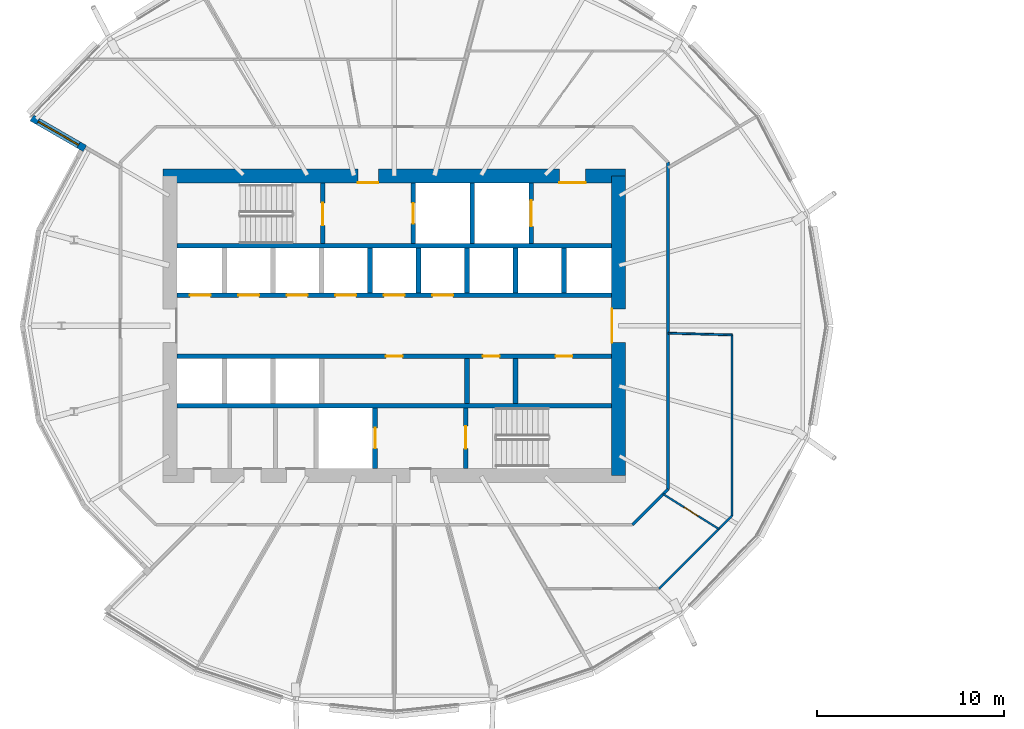
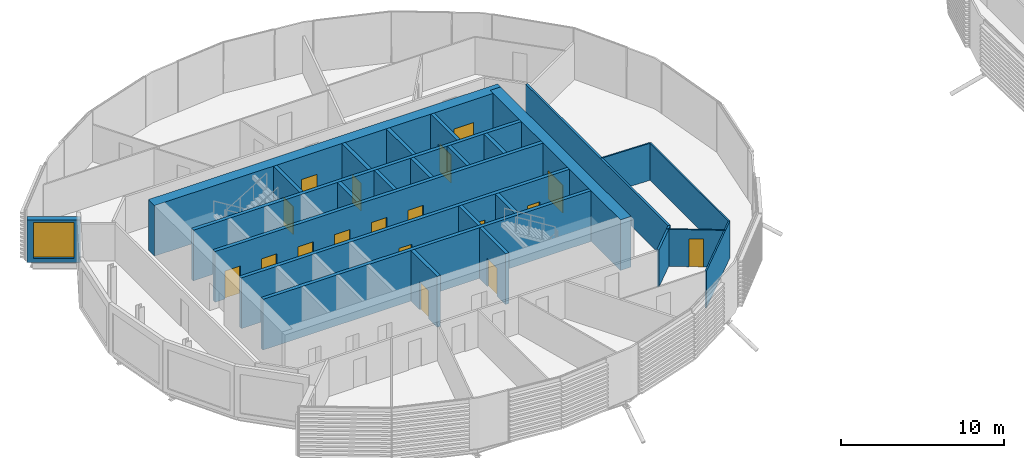
# One storey, part 21 of 38: 26 walls, 18 doors, 1 window, 19 openings.
"""IFC4 building model written with IfcOpenShell, lengths in metres."""

from ifc_helpers import new_model, si_unit, direction, frame, frame_2d, origin, place, context, subcontext, project, spatial, rectangle, extrude, material, layer, layer_set, type_object, element, fill, save


model = new_model("IFC4")

# Units and contexts
model_context = context("Model", 3, precision=1e-05, world=origin(), true_north=direction((0.0, 1.0)))
body_context = subcontext(model_context, "Body", "Model", "MODEL_VIEW")
ifc_project = project(units=[si_unit("LENGTHUNIT", "METRE"), si_unit("AREAUNIT", "SQUARE_METRE"), si_unit("VOLUMEUNIT", "CUBIC_METRE"), si_unit("PLANEANGLEUNIT", "RADIAN"), si_unit("MASSUNIT", "GRAM", prefix="KILO")], contexts=[model_context])

# Site, building, storey
site_placement = place(None, origin())
site = spatial("IfcSite", under=ifc_project, at=site_placement, CompositionType="ELEMENT")
building_placement = place(site_placement, origin())
building = spatial("IfcBuilding", under=site, at=building_placement, Name="Rimbun Link Towers", CompositionType="ELEMENT")
storey_placement = place(building_placement, frame((0.0, 0.0, 119.60009765625)))
storey = spatial("IfcBuildingStorey", under=building, at=storey_placement, Name="L29", CompositionType="ELEMENT", Elevation=119.60009765625)

# Wall, opening, window
ifc_material_1 = material(Name="Dark enamelled glass spandrel on insulated aluminium backpan", Category="aluminium")
ifc_layer_1 = layer(ifc_material_1, 0.3701171875)
ifc_layer_set_1 = layer_set([ifc_layer_1], Name="CS dark enamelled spandrel wall 370")
wall_type_1 = type_object("IfcWallType", Name="CS dark enamelled spandrel wall 370", PredefinedType="STANDARD", material=ifc_layer_set_1)
wall_1_placement = place(storey_placement, frame((-48.298095703125, 9.47900390625, 0.0), z_axis=(0.0, 0.0, 1.0), x_axis=(-0.866040564224, 0.499973740429, 0.0)))
wall_1 = element("IfcWall", 1, at=wall_1_placement, inside=storey, type_object=wall_type_1, Name="Crease spandrel wall", PredefinedType="STANDARD", context=body_context, shape_type="SweptSolid", body=[
    extrude(rectangle(XDim=3.280029296875, YDim=0.3701171875, at=frame_2d((1.64013671875, 0.0))), origin(), (0.0, 0.0, 1.0), 3.176513671875),
])
opening_1_placement = place(wall_1_placement, frame((0.389892578125, 0.0, 0.300048828125)))
opening_1 = element("IfcOpeningElement", 2, at=opening_1_placement, cuts=wall_1, Name="Opening WR25H270", PredefinedType="OPENING", context=body_context, shape_type="SweptSolid", body=[
    extrude(rectangle(XDim=2.5, YDim=2.699951171875, at=frame_2d((1.25, 1.35009765625))), frame((0.0, 0.195068359375, 0.0), z_axis=(0.0, -1.0, 0.0), x_axis=(1.0, 0.0, 0.0)), (0.0, 0.0, 1.0), 0.39013671875),
])
ifc_material_2 = material(Name="Aluminium framed fixed window, dark tinted low-e glass", Category="aluminium")
window_type = type_object("IfcWindowType", Name="WR ribbon window 2500X2700", PartitioningType="SINGLE_PANEL", PredefinedType="WINDOW", material=ifc_material_2)
window_placement = place(opening_1_placement, origin())
window = element("IfcWindow", 3, at=window_placement, inside=storey, type_object=window_type, Name="Crease ribbon window", OverallHeight=2.699951171875, OverallWidth=2.5, PartitioningType="SINGLE_PANEL", PredefinedType="WINDOW", context=body_context, shape_type="SweptSolid", body=[
    extrude(rectangle(XDim=2.5, YDim=2.699951171875, at=frame_2d((1.25, 1.35009765625))), frame((0.0, 0.030029296875, 0.0), z_axis=(0.0, -1.0, 0.0), x_axis=(1.0, 0.0, 0.0)), (0.0, 0.0, 1.0), 0.06005859375),
])
fill(opening_1, window)

# Wall, openings, doors
ifc_material_3 = material(Name="Concrete C60/75", Category="concrete")
ifc_layer_2 = layer(ifc_material_3, 0.75)
ifc_layer_set_2 = layer_set([ifc_layer_2], Name="Core shear wall 750")
wall_type_2 = type_object("IfcWallType", Name="Core shear wall 750", PredefinedType="SHEAR", material=ifc_layer_set_2)
wall_2_placement = place(storey_placement, frame((-44.125, 8.0, 0.0), z_axis=(0.0, 0.0, 1.0), x_axis=(1.0, 0.0, 0.0)))
wall_2 = element("IfcWall", 4, at=wall_2_placement, inside=storey, type_object=wall_type_2, Name="L29 T1 core wall N", PredefinedType="SHEAR", context=body_context, shape_type="SweptSolid", body=[
    extrude(rectangle(XDim=24.75, YDim=0.75, at=frame_2d((12.375, 0.0))), origin(), (0.0, 0.0, 1.0), 3.7998046875),
])
opening_2_placement = place(wall_2_placement, frame((10.425048828125, 0.0, 0.0)))
opening_2 = element("IfcOpeningElement", 5, at=opening_2_placement, cuts=wall_2, Name="Opening C1DCF01N", PredefinedType="OPENING", context=body_context, shape_type="SweptSolid", body=[
    extrude(rectangle(XDim=1.10009765625, YDim=2.10009765625, at=frame_2d((0.550048828125, 1.050048828125))), frame((0.0, 0.385009765625, 0.0), z_axis=(0.0, -1.0, 0.0), x_axis=(1.0, 0.0, 0.0)), (0.0, 0.0, 1.0), 0.77001953125),
])
opening_3_placement = place(wall_2_placement, frame((21.21240234375, 0.0, 0.0)))
opening_3 = element("IfcOpeningElement", 6, at=opening_3_placement, cuts=wall_2, Name="Opening C1DSL02N", PredefinedType="OPENING", context=body_context, shape_type="SweptSolid", body=[
    extrude(rectangle(XDim=1.39990234375, YDim=2.10009765625, at=frame_2d((0.699951171875, 1.050048828125))), frame((0.0, 0.385009765625, 0.0), z_axis=(0.0, -1.0, 0.0), x_axis=(1.0, 0.0, 0.0)), (0.0, 0.0, 1.0), 0.77001953125),
])
ifc_material_4 = material(Name="Steel fire door set", Category="steel")
door_type_1 = type_object("IfcDoorType", Name="Core fire door single", OperationType="SINGLE_SWING_LEFT", PredefinedType="DOOR", material=ifc_material_4)
door_1_placement = place(opening_2_placement, origin())
door_1 = element("IfcDoor", 7, at=door_1_placement, inside=storey, type_object=door_type_1, Name="L29 T1 firefighting lobby n door", OperationType="SINGLE_SWING_LEFT", OverallHeight=2.10009765625, OverallWidth=1.10009765625, PredefinedType="DOOR", context=body_context, shape_type="SweptSolid", body=[
    extrude(rectangle(XDim=1.10009765625, YDim=2.10009765625, at=frame_2d((0.550048828125, 1.050048828125))), frame((0.0, -0.3251953125, 0.0), z_axis=(0.0, -1.0, 0.0), x_axis=(1.0, 0.0, 0.0)), (0.0, 0.0, 1.0), 0.050048828125),
])
fill(opening_2, door_1)
ifc_material_5 = material(Name="Steel fire door set", Category="steel")
door_type_2 = type_object("IfcDoorType", Name="Service lobby door double", OperationType="DOUBLE_DOOR_SINGLE_SWING", PredefinedType="DOOR", material=ifc_material_5)
door_2_placement = place(opening_3_placement, origin())
door_2 = element("IfcDoor", 8, at=door_2_placement, inside=storey, type_object=door_type_2, Name="L29 T1 service lobby door", OperationType="DOUBLE_DOOR_SINGLE_SWING", OverallHeight=2.10009765625, OverallWidth=1.39990234375, PredefinedType="DOOR", context=body_context, shape_type="SweptSolid", body=[
    extrude(rectangle(XDim=1.39990234375, YDim=2.10009765625, at=frame_2d((0.699951171875, 1.050048828125))), frame((0.0, -0.3251953125, 0.0), z_axis=(0.0, -1.0, 0.0), x_axis=(1.0, 0.0, 0.0)), (0.0, 0.0, 1.0), 0.050048828125),
])
fill(opening_3, door_2)

# Wall, opening, door
wall_3_placement = place(storey_placement, frame((-19.75, -8.0, 0.0), z_axis=(0.0, 0.0, 1.0), x_axis=(0.0, 1.0, 0.0)))
wall_3 = element("IfcWall", 9, at=wall_3_placement, inside=storey, type_object=wall_type_2, Name="L29 T1 core wall E", PredefinedType="SHEAR", context=body_context, shape_type="SweptSolid", body=[
    extrude(rectangle(XDim=16.0, YDim=0.75, at=frame_2d((8.0, 0.0))), origin(), (0.0, 0.0, 1.0), 3.7998046875),
])
opening_4_placement = place(wall_3_placement, frame((7.10009765625, 0.0, 0.0)))
opening_4 = element("IfcOpeningElement", 10, at=opening_4_placement, cuts=wall_3, Name="Opening C1DCL01E", PredefinedType="OPENING", context=body_context, shape_type="SweptSolid", body=[
    extrude(rectangle(XDim=1.800048828125, YDim=2.10009765625, at=frame_2d((0.89990234375, 1.050048828125))), frame((0.0, 0.385009765625, 0.0), z_axis=(0.0, -1.0, 0.0), x_axis=(1.0, 0.0, 0.0)), (0.0, 0.0, 1.0), 0.77001953125),
])
ifc_material_6 = material(Name="Steel fire door set", Category="steel")
door_type_3 = type_object("IfcDoorType", Name="Core lobby door double", OperationType="DOUBLE_DOOR_SINGLE_SWING", PredefinedType="DOOR", material=ifc_material_6)
door_3_placement = place(opening_4_placement, origin())
door_3 = element("IfcDoor", 11, at=door_3_placement, inside=storey, type_object=door_type_3, Name="L29 T1 lift lobby door", OperationType="DOUBLE_DOOR_SINGLE_SWING", OverallHeight=2.10009765625, OverallWidth=1.800048828125, PredefinedType="DOOR", context=body_context, shape_type="SweptSolid", body=[
    extrude(rectangle(XDim=1.800048828125, YDim=2.10009765625, at=frame_2d((0.89990234375, 1.050048828125))), frame((0.0, 0.375, 0.0), z_axis=(0.0, -1.0, 0.0), x_axis=(1.0, 0.0, 0.0)), (0.0, 0.0, 1.0), 0.050048828125),
])
fill(opening_4, door_3)

# Walls
ifc_material_7 = material(Name="Plasterboard on steel stud, mineral wool", Category="steel")
ifc_layer_3 = layer(ifc_material_7, 0.14990234375)
ifc_layer_set_3 = layer_set([ifc_layer_3], Name="Corridor wall EI 30 150 mm")
wall_type_3 = type_object("IfcWallType", Name="Corridor wall EI 30 150 mm", PredefinedType="PARTITIONING", material=ifc_layer_set_3)
wall_4_placement = place(storey_placement, frame((-17.10009765625, -8.751708984375, 0.0), z_axis=(0.0, 0.0, 1.0), x_axis=(0.0, 1.0, 0.0)))
element("IfcWall", 12, at=wall_4_placement, inside=storey, type_object=wall_type_3, Name="Corridor wall EI 30 150 mm", PredefinedType="PARTITIONING", context=body_context, shape_type="SweptSolid", body=[
    extrude(rectangle(XDim=17.50341796875, YDim=0.14990234375, at=frame_2d((8.751708984375, 0.0))), origin(), (0.0, 0.0, 1.0), 2.77880859375),
])
wall_5_placement = place(storey_placement, frame((-18.998291015625, -10.64990234375, 0.0), z_axis=(0.0, 0.0, 1.0), x_axis=(0.707106781187, 0.707106781187, 0.0)))
element("IfcWall", 13, at=wall_5_placement, inside=storey, type_object=wall_type_3, Name="Corridor wall EI 30 150 mm", PredefinedType="PARTITIONING", context=body_context, shape_type="SweptSolid", body=[
    extrude(rectangle(XDim=2.6845703125, YDim=0.14990234375, at=frame_2d((1.34228515625, 0.0))), origin(), (0.0, 0.0, 1.0), 2.77880859375),
])

# Wall, opening, door
ifc_material_8 = material(Name="Plasterboard on steel stud", Category="steel")
ifc_layer_4 = layer(ifc_material_8, 0.10009765625)
ifc_layer_set_4 = layer_set([ifc_layer_4], Name="Plasterboard partition 100 mm")
wall_type_4 = type_object("IfcWallType", Name="Plasterboard partition 100 mm", PredefinedType="PARTITIONING", material=ifc_layer_set_4)
wall_6_placement = place(storey_placement, frame((-17.35986328125, -9.011474609375, 0.0), z_axis=(0.0, 0.0, 1.0), x_axis=(0.847521121802, -0.530761667889, 0.0)))
wall_6 = element("IfcWall", 14, at=wall_6_placement, inside=storey, type_object=wall_type_4, Name="Plasterboard partition 100 mm", PredefinedType="PARTITIONING", context=body_context, shape_type="SweptSolid", body=[
    extrude(rectangle(XDim=3.50927734375, YDim=0.10009765625, at=frame_2d((1.754638671875, 0.0))), origin(), (0.0, 0.0, 1.0), 2.77880859375),
])
opening_5_placement = place(wall_6_placement, frame((1.3046875, 0.0, 0.0)))
opening_5 = element("IfcOpeningElement", 15, at=opening_5_placement, cuts=wall_6, Name="Opening D04", PredefinedType="OPENING", context=body_context, shape_type="SweptSolid", body=[
    extrude(rectangle(XDim=0.89990234375, YDim=2.10009765625, at=frame_2d((0.449951171875, 1.050048828125))), frame((0.0, 0.06005859375, 0.0), z_axis=(0.0, -1.0, 0.0), x_axis=(1.0, 0.0, 0.0)), (0.0, 0.0, 1.0), 0.1201171875),
])
ifc_material_9 = material(Name="Timber door leaf", Category="wood")
door_type_4 = type_object("IfcDoorType", Name="Flush door 900", OperationType="NOTDEFINED", PredefinedType="DOOR", material=ifc_material_9)
door_4_placement = place(opening_5_placement, origin())
door_4 = element("IfcDoor", 16, at=door_4_placement, inside=storey, type_object=door_type_4, Name="Flush door 900 to Meeting room", OperationType="SINGLE_SWING_RIGHT", OverallHeight=2.10009765625, OverallWidth=0.89990234375, PredefinedType="DOOR", context=body_context, shape_type="SweptSolid", body=[
    extrude(rectangle(XDim=0.89990234375, YDim=2.10009765625, at=frame_2d((0.449951171875, 1.050048828125))), frame((0.0, 0.02490234375, 0.0), z_axis=(0.0, -1.0, 0.0), x_axis=(1.0, 0.0, 0.0)), (0.0, 0.0, 1.0), 0.050048828125),
])
fill(opening_5, door_4)

# Walls
wall_7_placement = place(storey_placement, frame((-17.581787109375, -14.070068359375, 0.0), z_axis=(0.0, 0.0, 1.0), x_axis=(0.707084658174, 0.707128903507, 0.0)))
element("IfcWall", 17, at=wall_7_placement, inside=storey, type_object=wall_type_4, Name="Plasterboard partition 100 mm", PredefinedType="PARTITIONING", context=body_context, shape_type="SweptSolid", body=[
    extrude(rectangle(XDim=5.517822265625, YDim=0.10009765625, at=frame_2d((2.7587890625, 0.0))), origin(), (0.0, 0.0, 1.0), 2.77880859375),
])
wall_8_placement = place(storey_placement, frame((-13.679931640625, -10.168212890625, 0.0), z_axis=(0.0, 0.0, 1.0), x_axis=(0.0, 1.0, 0.0)))
element("IfcWall", 18, at=wall_8_placement, inside=storey, type_object=wall_type_4, Name="Plasterboard partition 100 mm", PredefinedType="PARTITIONING", context=body_context, shape_type="SweptSolid", body=[
    extrude(rectangle(XDim=9.676025390625, YDim=0.10009765625, at=frame_2d((4.837890625, 0.0))), origin(), (0.0, 0.0, 1.0), 2.77880859375),
])
wall_9_placement = place(storey_placement, frame((-13.679931640625, -0.4921875, 0.0), z_axis=(0.0, 0.0, 1.0), x_axis=(-0.999628430249, 0.027258052706, 0.0)))
element("IfcWall", 19, at=wall_9_placement, inside=storey, type_object=wall_type_4, Name="Plasterboard partition 100 mm", PredefinedType="PARTITIONING", context=body_context, shape_type="SweptSolid", body=[
    extrude(rectangle(XDim=3.42138671875, YDim=0.10009765625, at=frame_2d((1.710693359375, 0.0))), origin(), (0.0, 0.0, 1.0), 2.77880859375),
])
ifc_material_10 = material(Name="Concrete C60/75", Category="concrete")
ifc_layer_5 = layer(ifc_material_10, 0.25)
ifc_layer_set_5 = layer_set([ifc_layer_5], Name="Shaft wall 250")
wall_type_5 = type_object("IfcWallType", Name="Shaft wall 250", PredefinedType="SHEAR", material=ifc_layer_set_5)
for number, where, z_axis, x_axis, name in (
    (20, (-43.375, 4.27490234375, 0.0), (0.0, 0.0, 1.0), (1.0, 0.0, 0.0), "L29 T1 core wall BN"),
    (21, (-43.375, -4.27490234375, 0.0), (0.0, 0.0, 1.0), (1.0, 0.0, 0.0), "L29 T1 core wall BS"),
):
    element("IfcWall", number, at=place(storey_placement, frame(where, z_axis=z_axis, x_axis=x_axis)), inside=storey, type_object=wall_type_5, Name=name, PredefinedType="SHEAR", context=body_context, shape_type="SweptSolid", body=[
        extrude(rectangle(XDim=23.25, YDim=0.25, at=frame_2d((11.625, 0.0))), origin(), (0.0, 0.0, 1.0), 3.7998046875),
    ])

# Wall, openings, doors
wall_10_placement = place(storey_placement, frame((-43.375, 1.625, 0.0), z_axis=(0.0, 0.0, 1.0), x_axis=(1.0, 0.0, 0.0)))
wall_10 = element("IfcWall", 22, at=wall_10_placement, inside=storey, type_object=wall_type_5, Name="L29 T1 core wall FN", PredefinedType="SHEAR", context=body_context, shape_type="SweptSolid", body=[
    extrude(rectangle(XDim=23.25, YDim=0.25, at=frame_2d((11.625, 0.0))), origin(), (0.0, 0.0, 1.0), 3.7998046875),
])
opening_6_placement = place(wall_10_placement, frame((0.697265625, 0.0, 0.0)))
opening_6 = element("IfcOpeningElement", 23, at=opening_6_placement, cuts=wall_10, Name="Opening LD-T1-LR1", PredefinedType="OPENING", context=body_context, shape_type="SweptSolid", body=[
    extrude(rectangle(XDim=1.10009765625, YDim=2.10009765625, at=frame_2d((0.550048828125, 1.050048828125))), frame((0.0, 0.135009765625, 0.0), z_axis=(0.0, -1.0, 0.0), x_axis=(1.0, 0.0, 0.0)), (0.0, 0.0, 1.0), 0.27001953125),
])
opening_7_placement = place(wall_10_placement, frame((3.291748046875, 0.0, 0.0)))
opening_7 = element("IfcOpeningElement", 24, at=opening_7_placement, cuts=wall_10, Name="Opening LD-T1-LR2", PredefinedType="OPENING", context=body_context, shape_type="SweptSolid", body=[
    extrude(rectangle(XDim=1.10009765625, YDim=2.10009765625, at=frame_2d((0.550048828125, 1.050048828125))), frame((0.0, 0.135009765625, 0.0), z_axis=(0.0, -1.0, 0.0), x_axis=(1.0, 0.0, 0.0)), (0.0, 0.0, 1.0), 0.27001953125),
])
opening_8_placement = place(wall_10_placement, frame((5.885986328125, 0.0, 0.0)))
opening_8 = element("IfcOpeningElement", 25, at=opening_8_placement, cuts=wall_10, Name="Opening LD-T1-LR3", PredefinedType="OPENING", context=body_context, shape_type="SweptSolid", body=[
    extrude(rectangle(XDim=1.10009765625, YDim=2.10009765625, at=frame_2d((0.550048828125, 1.050048828125))), frame((0.0, 0.135009765625, 0.0), z_axis=(0.0, -1.0, 0.0), x_axis=(1.0, 0.0, 0.0)), (0.0, 0.0, 1.0), 0.27001953125),
])
opening_9_placement = place(wall_10_placement, frame((8.480712890625, 0.0, 0.0)))
opening_9 = element("IfcOpeningElement", 26, at=opening_9_placement, cuts=wall_10, Name="Opening LD-T1-LR4", PredefinedType="OPENING", context=body_context, shape_type="SweptSolid", body=[
    extrude(rectangle(XDim=1.10009765625, YDim=2.10009765625, at=frame_2d((0.550048828125, 1.050048828125))), frame((0.0, 0.135009765625, 0.0), z_axis=(0.0, -1.0, 0.0), x_axis=(1.0, 0.0, 0.0)), (0.0, 0.0, 1.0), 0.27001953125),
])
opening_10_placement = place(wall_10_placement, frame((11.074951171875, 0.0, 0.0)))
opening_10 = element("IfcOpeningElement", 27, at=opening_10_placement, cuts=wall_10, Name="Opening LD-T1-LR5", PredefinedType="OPENING", context=body_context, shape_type="SweptSolid", body=[
    extrude(rectangle(XDim=1.10009765625, YDim=2.10009765625, at=frame_2d((0.550048828125, 1.050048828125))), frame((0.0, 0.135009765625, 0.0), z_axis=(0.0, -1.0, 0.0), x_axis=(1.0, 0.0, 0.0)), (0.0, 0.0, 1.0), 0.27001953125),
])
opening_11_placement = place(wall_10_placement, frame((13.66943359375, 0.0, 0.0)))
opening_11 = element("IfcOpeningElement", 28, at=opening_11_placement, cuts=wall_10, Name="Opening LD-T1-LR6", PredefinedType="OPENING", context=body_context, shape_type="SweptSolid", body=[
    extrude(rectangle(XDim=1.10009765625, YDim=2.10009765625, at=frame_2d((0.550048828125, 1.050048828125))), frame((0.0, 0.135009765625, 0.0), z_axis=(0.0, -1.0, 0.0), x_axis=(1.0, 0.0, 0.0)), (0.0, 0.0, 1.0), 0.27001953125),
])
ifc_material_11 = material(Name="Stainless steel grade 316", Category="steel")
door_type_5 = type_object("IfcDoorType", Name="Lift landing door", OperationType="DOUBLE_DOOR_SLIDING", PredefinedType="DOOR", material=ifc_material_11)
door_5_placement = place(opening_6_placement, origin())
door_5 = element("IfcDoor", 29, at=door_5_placement, inside=storey, type_object=door_type_5, Name="L29 T1 lift LR1 landing door", OperationType="DOUBLE_DOOR_SLIDING", OverallHeight=2.10009765625, OverallWidth=1.10009765625, PredefinedType="DOOR", context=body_context, shape_type="SweptSolid", body=[
    extrude(rectangle(XDim=1.10009765625, YDim=2.10009765625, at=frame_2d((0.550048828125, 1.050048828125))), frame((0.0, 0.02490234375, 0.0), z_axis=(0.0, -1.0, 0.0), x_axis=(1.0, 0.0, 0.0)), (0.0, 0.0, 1.0), 0.050048828125),
])
fill(opening_6, door_5)
door_6_placement = place(opening_7_placement, origin())
door_6 = element("IfcDoor", 30, at=door_6_placement, inside=storey, type_object=door_type_5, Name="L29 T1 lift LR2 landing door", OperationType="DOUBLE_DOOR_SLIDING", OverallHeight=2.10009765625, OverallWidth=1.10009765625, PredefinedType="DOOR", context=body_context, shape_type="SweptSolid", body=[
    extrude(rectangle(XDim=1.10009765625, YDim=2.10009765625, at=frame_2d((0.550048828125, 1.050048828125))), frame((0.0, 0.02490234375, 0.0), z_axis=(0.0, -1.0, 0.0), x_axis=(1.0, 0.0, 0.0)), (0.0, 0.0, 1.0), 0.050048828125),
])
fill(opening_7, door_6)
door_7_placement = place(opening_8_placement, origin())
door_7 = element("IfcDoor", 31, at=door_7_placement, inside=storey, type_object=door_type_5, Name="L29 T1 lift LR3 landing door", OperationType="DOUBLE_DOOR_SLIDING", OverallHeight=2.10009765625, OverallWidth=1.10009765625, PredefinedType="DOOR", context=body_context, shape_type="SweptSolid", body=[
    extrude(rectangle(XDim=1.10009765625, YDim=2.10009765625, at=frame_2d((0.550048828125, 1.050048828125))), frame((0.0, 0.02490234375, 0.0), z_axis=(0.0, -1.0, 0.0), x_axis=(1.0, 0.0, 0.0)), (0.0, 0.0, 1.0), 0.050048828125),
])
fill(opening_8, door_7)
door_8_placement = place(opening_9_placement, origin())
door_8 = element("IfcDoor", 32, at=door_8_placement, inside=storey, type_object=door_type_5, Name="L29 T1 lift LR4 landing door", OperationType="DOUBLE_DOOR_SLIDING", OverallHeight=2.10009765625, OverallWidth=1.10009765625, PredefinedType="DOOR", context=body_context, shape_type="SweptSolid", body=[
    extrude(rectangle(XDim=1.10009765625, YDim=2.10009765625, at=frame_2d((0.550048828125, 1.050048828125))), frame((0.0, 0.02490234375, 0.0), z_axis=(0.0, -1.0, 0.0), x_axis=(1.0, 0.0, 0.0)), (0.0, 0.0, 1.0), 0.050048828125),
])
fill(opening_9, door_8)
door_9_placement = place(opening_10_placement, origin())
door_9 = element("IfcDoor", 33, at=door_9_placement, inside=storey, type_object=door_type_5, Name="L29 T1 lift LR5 landing door", OperationType="DOUBLE_DOOR_SLIDING", OverallHeight=2.10009765625, OverallWidth=1.10009765625, PredefinedType="DOOR", context=body_context, shape_type="SweptSolid", body=[
    extrude(rectangle(XDim=1.10009765625, YDim=2.10009765625, at=frame_2d((0.550048828125, 1.050048828125))), frame((0.0, 0.02490234375, 0.0), z_axis=(0.0, -1.0, 0.0), x_axis=(1.0, 0.0, 0.0)), (0.0, 0.0, 1.0), 0.050048828125),
])
fill(opening_10, door_9)
door_10_placement = place(opening_11_placement, origin())
door_10 = element("IfcDoor", 34, at=door_10_placement, inside=storey, type_object=door_type_5, Name="L29 T1 lift LR6 landing door", OperationType="DOUBLE_DOOR_SLIDING", OverallHeight=2.10009765625, OverallWidth=1.10009765625, PredefinedType="DOOR", context=body_context, shape_type="SweptSolid", body=[
    extrude(rectangle(XDim=1.10009765625, YDim=2.10009765625, at=frame_2d((0.550048828125, 1.050048828125))), frame((0.0, 0.02490234375, 0.0), z_axis=(0.0, -1.0, 0.0), x_axis=(1.0, 0.0, 0.0)), (0.0, 0.0, 1.0), 0.050048828125),
])
fill(opening_11, door_10)

wall_11_placement = place(storey_placement, frame((-43.375, -1.625, 0.0), z_axis=(0.0, 0.0, 1.0), x_axis=(1.0, 0.0, 0.0)))
wall_11 = element("IfcWall", 35, at=wall_11_placement, inside=storey, type_object=wall_type_5, Name="L29 T1 core wall FS", PredefinedType="SHEAR", context=body_context, shape_type="SweptSolid", body=[
    extrude(rectangle(XDim=23.25, YDim=0.25, at=frame_2d((11.625, 0.0))), origin(), (0.0, 0.0, 1.0), 3.7998046875),
])
opening_12_placement = place(wall_11_placement, frame((11.175048828125, 0.0, 0.0)))
opening_12 = element("IfcOpeningElement", 36, at=opening_12_placement, cuts=wall_11, Name="Opening C1DRS01FS", PredefinedType="OPENING", context=body_context, shape_type="SweptSolid", body=[
    extrude(rectangle(XDim=0.89990234375, YDim=2.10009765625, at=frame_2d((0.449951171875, 1.050048828125))), frame((0.0, 0.135009765625, 0.0), z_axis=(0.0, -1.0, 0.0), x_axis=(1.0, 0.0, 0.0)), (0.0, 0.0, 1.0), 0.27001953125),
])
opening_13_placement = place(wall_11_placement, frame((16.364013671875, 0.0, 0.0)))
opening_13 = element("IfcOpeningElement", 37, at=opening_13_placement, cuts=wall_11, Name="Opening C1DRS02FS", PredefinedType="OPENING", context=body_context, shape_type="SweptSolid", body=[
    extrude(rectangle(XDim=0.89990234375, YDim=2.10009765625, at=frame_2d((0.449951171875, 1.050048828125))), frame((0.0, 0.135009765625, 0.0), z_axis=(0.0, -1.0, 0.0), x_axis=(1.0, 0.0, 0.0)), (0.0, 0.0, 1.0), 0.27001953125),
])
opening_14_placement = place(wall_11_placement, frame((20.255615234375, 0.0, 0.0)))
opening_14 = element("IfcOpeningElement", 38, at=opening_14_placement, cuts=wall_11, Name="Opening C1DRS03FS", PredefinedType="OPENING", context=body_context, shape_type="SweptSolid", body=[
    extrude(rectangle(XDim=0.89990234375, YDim=2.10009765625, at=frame_2d((0.449951171875, 1.050048828125))), frame((0.0, 0.135009765625, 0.0), z_axis=(0.0, -1.0, 0.0), x_axis=(1.0, 0.0, 0.0)), (0.0, 0.0, 1.0), 0.27001953125),
])
ifc_material_12 = material(Name="Steel fire door set", Category="steel")
door_type_6 = type_object("IfcDoorType", Name="Core riser door", OperationType="SINGLE_SWING_LEFT", PredefinedType="DOOR", material=ifc_material_12)
door_11_placement = place(opening_12_placement, origin())
door_11 = element("IfcDoor", 39, at=door_11_placement, inside=storey, type_object=door_type_6, Name="L29 T1 records store door", OperationType="SINGLE_SWING_LEFT", OverallHeight=2.10009765625, OverallWidth=0.89990234375, PredefinedType="DOOR", context=body_context, shape_type="SweptSolid", body=[
    extrude(rectangle(XDim=0.89990234375, YDim=2.10009765625, at=frame_2d((0.449951171875, 1.050048828125))), frame((0.0, 0.02490234375, 0.0), z_axis=(0.0, -1.0, 0.0), x_axis=(1.0, 0.0, 0.0)), (0.0, 0.0, 1.0), 0.050048828125),
])
fill(opening_12, door_11)
door_12_placement = place(opening_13_placement, origin())
door_12 = element("IfcDoor", 40, at=door_12_placement, inside=storey, type_object=door_type_6, Name="L29 T1 cleaner store door", OperationType="SINGLE_SWING_LEFT", OverallHeight=2.10009765625, OverallWidth=0.89990234375, PredefinedType="DOOR", context=body_context, shape_type="SweptSolid", body=[
    extrude(rectangle(XDim=0.89990234375, YDim=2.10009765625, at=frame_2d((0.449951171875, 1.050048828125))), frame((0.0, 0.02490234375, 0.0), z_axis=(0.0, -1.0, 0.0), x_axis=(1.0, 0.0, 0.0)), (0.0, 0.0, 1.0), 0.050048828125),
])
fill(opening_13, door_12)
door_13_placement = place(opening_14_placement, origin())
door_13 = element("IfcDoor", 41, at=door_13_placement, inside=storey, type_object=door_type_6, Name="L29 T1 staff lounge door", OperationType="SINGLE_SWING_LEFT", OverallHeight=2.10009765625, OverallWidth=0.89990234375, PredefinedType="DOOR", context=body_context, shape_type="SweptSolid", body=[
    extrude(rectangle(XDim=0.89990234375, YDim=2.10009765625, at=frame_2d((0.449951171875, 1.050048828125))), frame((0.0, 0.02490234375, 0.0), z_axis=(0.0, -1.0, 0.0), x_axis=(1.0, 0.0, 0.0)), (0.0, 0.0, 1.0), 0.050048828125),
])
fill(opening_14, door_13)

# Walls
for number, where, z_axis, x_axis, name in (
    (42, (-33.047119140625, 1.75, 0.0), (0.0, 0.0, 1.0), (0.0, 1.0, 0.0), "L29 T1 core wall DN3"),
    (43, (-30.452880859375, 1.75, 0.0), (0.0, 0.0, 1.0), (0.0, 1.0, 0.0), "L29 T1 core wall DN4"),
    (44, (-27.8583984375, 1.75, 0.0), (0.0, 0.0, 1.0), (0.0, 1.0, 0.0), "L29 T1 core wall DN5"),
    (45, (-25.263916015625, 1.75, 0.0), (0.0, 0.0, 1.0), (0.0, 1.0, 0.0), "L29 T1 core wall DN6"),
    (46, (-22.66943359375, 1.75, 0.0), (0.0, 0.0, 1.0), (0.0, 1.0, 0.0), "L29 T1 core wall DN7"),
    (47, (-27.8583984375, -4.14990234375, 0.0), (0.0, 0.0, 1.0), (0.0, 1.0, 0.0), "L29 T1 core wall DS5"),
    (48, (-25.263916015625, -4.14990234375, 0.0), (0.0, 0.0, 1.0), (0.0, 1.0, 0.0), "L29 T1 core wall DS6"),
):
    element("IfcWall", number, at=place(storey_placement, frame(where, z_axis=z_axis, x_axis=x_axis)), inside=storey, type_object=wall_type_5, Name=name, PredefinedType="SHEAR", context=body_context, shape_type="SweptSolid", body=[
        extrude(rectangle(XDim=2.39990234375, YDim=0.25, at=frame_2d((1.199951171875, 0.0))), origin(), (0.0, 0.0, 1.0), 3.7998046875),
    ])

# Wall, opening, door
wall_12_placement = place(storey_placement, frame((-35.574951171875, 4.39990234375, 0.0), z_axis=(0.0, 0.0, 1.0), x_axis=(0.0, 1.0, 0.0)))
wall_12 = element("IfcWall", 49, at=wall_12_placement, inside=storey, type_object=wall_type_5, Name="L29 T1 core wall A1", PredefinedType="SHEAR", context=body_context, shape_type="SweptSolid", body=[
    extrude(rectangle(XDim=3.22509765625, YDim=0.25, at=frame_2d((1.612548828125, 0.0))), origin(), (0.0, 0.0, 1.0), 3.7998046875),
])
opening_15_placement = place(wall_12_placement, frame((0.97509765625, 0.0, 0.0)))
opening_15 = element("IfcOpeningElement", 50, at=opening_15_placement, cuts=wall_12, Name="Opening C1DST01A1", PredefinedType="OPENING", context=body_context, shape_type="SweptSolid", body=[
    extrude(rectangle(XDim=1.199951171875, YDim=2.10009765625, at=frame_2d((0.60009765625, 1.050048828125))), frame((0.0, 0.135009765625, 0.0), z_axis=(0.0, -1.0, 0.0), x_axis=(1.0, 0.0, 0.0)), (0.0, 0.0, 1.0), 0.27001953125),
])
ifc_material_13 = material(Name="Steel fire door set", Category="steel")
door_type_7 = type_object("IfcDoorType", Name="Stair door", OperationType="SINGLE_SWING_LEFT", PredefinedType="DOOR", material=ifc_material_13)
door_14_placement = place(opening_15_placement, origin())
door_14 = element("IfcDoor", 51, at=door_14_placement, inside=storey, type_object=door_type_7, Name="L29 T1 stair a door", OperationType="SINGLE_SWING_LEFT", OverallHeight=2.10009765625, OverallWidth=1.199951171875, PredefinedType="DOOR", context=body_context, shape_type="SweptSolid", body=[
    extrude(rectangle(XDim=1.199951171875, YDim=2.10009765625, at=frame_2d((0.60009765625, 1.050048828125))), frame((0.0, 0.02490234375, 0.0), z_axis=(0.0, -1.0, 0.0), x_axis=(1.0, 0.0, 0.0)), (0.0, 0.0, 1.0), 0.050048828125),
])
fill(opening_15, door_14)

wall_13_placement = place(storey_placement, frame((-30.72509765625, 4.39990234375, 0.0), z_axis=(0.0, 0.0, 1.0), x_axis=(0.0, 1.0, 0.0)))
wall_13 = element("IfcWall", 52, at=wall_13_placement, inside=storey, type_object=wall_type_5, Name="L29 T1 core wall A2", PredefinedType="SHEAR", context=body_context, shape_type="SweptSolid", body=[
    extrude(rectangle(XDim=3.22509765625, YDim=0.25, at=frame_2d((1.612548828125, 0.0))), origin(), (0.0, 0.0, 1.0), 3.7998046875),
])
opening_16_placement = place(wall_13_placement, frame((1.0625, 0.0, 0.0)))
opening_16 = element("IfcOpeningElement", 53, at=opening_16_placement, cuts=wall_13, Name="Opening LD-T1-FF1", PredefinedType="OPENING", context=body_context, shape_type="SweptSolid", body=[
    extrude(rectangle(XDim=1.10009765625, YDim=2.10009765625, at=frame_2d((0.550048828125, 1.050048828125))), frame((0.0, 0.135009765625, 0.0), z_axis=(0.0, -1.0, 0.0), x_axis=(1.0, 0.0, 0.0)), (0.0, 0.0, 1.0), 0.27001953125),
])
door_15_placement = place(opening_16_placement, origin())
door_15 = element("IfcDoor", 54, at=door_15_placement, inside=storey, type_object=door_type_5, Name="L29 T1 lift FF1 landing door", OperationType="DOUBLE_DOOR_SLIDING", OverallHeight=2.10009765625, OverallWidth=1.10009765625, PredefinedType="DOOR", context=body_context, shape_type="SweptSolid", body=[
    extrude(rectangle(XDim=1.10009765625, YDim=2.10009765625, at=frame_2d((0.550048828125, 1.050048828125))), frame((0.0, 0.02490234375, 0.0), z_axis=(0.0, -1.0, 0.0), x_axis=(1.0, 0.0, 0.0)), (0.0, 0.0, 1.0), 0.050048828125),
])
fill(opening_16, door_15)

# Wall
wall_14_placement = place(storey_placement, frame((-27.574951171875, 4.39990234375, 0.0), z_axis=(0.0, 0.0, 1.0), x_axis=(0.0, 1.0, 0.0)))
element("IfcWall", 55, at=wall_14_placement, inside=storey, type_object=wall_type_5, Name="L29 T1 core wall A3", PredefinedType="SHEAR", context=body_context, shape_type="SweptSolid", body=[
    extrude(rectangle(XDim=3.22509765625, YDim=0.25, at=frame_2d((1.612548828125, 0.0))), origin(), (0.0, 0.0, 1.0), 3.7998046875),
])

# Wall, opening, door
wall_15_placement = place(storey_placement, frame((-24.425048828125, 4.39990234375, 0.0), z_axis=(0.0, 0.0, 1.0), x_axis=(0.0, 1.0, 0.0)))
wall_15 = element("IfcWall", 56, at=wall_15_placement, inside=storey, type_object=wall_type_5, Name="L29 T1 core wall A4", PredefinedType="SHEAR", context=body_context, shape_type="SweptSolid", body=[
    extrude(rectangle(XDim=3.22509765625, YDim=0.25, at=frame_2d((1.612548828125, 0.0))), origin(), (0.0, 0.0, 1.0), 3.7998046875),
])
opening_17_placement = place(wall_15_placement, frame((0.91259765625, 0.0, 0.0)))
opening_17 = element("IfcOpeningElement", 57, at=opening_17_placement, cuts=wall_15, Name="Opening LD-T1-GL1", PredefinedType="OPENING", context=body_context, shape_type="SweptSolid", body=[
    extrude(rectangle(XDim=1.39990234375, YDim=2.10009765625, at=frame_2d((0.699951171875, 1.050048828125))), frame((0.0, 0.135009765625, 0.0), z_axis=(0.0, -1.0, 0.0), x_axis=(1.0, 0.0, 0.0)), (0.0, 0.0, 1.0), 0.27001953125),
])
ifc_material_14 = material(Name="Stainless steel grade 316", Category="steel")
door_type_8 = type_object("IfcDoorType", Name="Goods lift landing door", OperationType="DOUBLE_DOOR_SLIDING", PredefinedType="DOOR", material=ifc_material_14)
door_16_placement = place(opening_17_placement, origin())
door_16 = element("IfcDoor", 58, at=door_16_placement, inside=storey, type_object=door_type_8, Name="L29 T1 lift GL1 landing door", OperationType="DOUBLE_DOOR_SLIDING", OverallHeight=2.10009765625, OverallWidth=1.39990234375, PredefinedType="DOOR", context=body_context, shape_type="SweptSolid", body=[
    extrude(rectangle(XDim=1.39990234375, YDim=2.10009765625, at=frame_2d((0.699951171875, 1.050048828125))), frame((0.0, 0.02490234375, 0.0), z_axis=(0.0, -1.0, 0.0), x_axis=(1.0, 0.0, 0.0)), (0.0, 0.0, 1.0), 0.050048828125),
])
fill(opening_17, door_16)

wall_16_placement = place(storey_placement, frame((-27.925048828125, -4.39990234375, 0.0), z_axis=(0.0, 0.0, 1.0), x_axis=(0.0, -1.0, 0.0)))
wall_16 = element("IfcWall", 59, at=wall_16_placement, inside=storey, type_object=wall_type_5, Name="L29 T1 core wall B1", PredefinedType="SHEAR", context=body_context, shape_type="SweptSolid", body=[
    extrude(rectangle(XDim=3.22509765625, YDim=0.25, at=frame_2d((1.612548828125, 0.0))), origin(), (0.0, 0.0, 1.0), 3.7998046875),
])
opening_18_placement = place(wall_16_placement, frame((0.97509765625, 0.0, 0.0)))
opening_18 = element("IfcOpeningElement", 60, at=opening_18_placement, cuts=wall_16, Name="Opening C1DST01B1", PredefinedType="OPENING", context=body_context, shape_type="SweptSolid", body=[
    extrude(rectangle(XDim=1.199951171875, YDim=2.10009765625, at=frame_2d((0.60009765625, 1.050048828125))), frame((0.0, 0.135009765625, 0.0), z_axis=(0.0, -1.0, 0.0), x_axis=(1.0, 0.0, 0.0)), (0.0, 0.0, 1.0), 0.27001953125),
])
door_17_placement = place(opening_18_placement, origin())
door_17 = element("IfcDoor", 61, at=door_17_placement, inside=storey, type_object=door_type_7, Name="L29 T1 stair b door", OperationType="SINGLE_SWING_RIGHT", OverallHeight=2.10009765625, OverallWidth=1.199951171875, PredefinedType="DOOR", context=body_context, shape_type="SweptSolid", body=[
    extrude(rectangle(XDim=1.199951171875, YDim=2.10009765625, at=frame_2d((0.60009765625, 1.050048828125))), frame((0.0, 0.02490234375, 0.0), z_axis=(0.0, -1.0, 0.0), x_axis=(1.0, 0.0, 0.0)), (0.0, 0.0, 1.0), 0.050048828125),
])
fill(opening_18, door_17)

wall_17_placement = place(storey_placement, frame((-32.77490234375, -4.39990234375, 0.0), z_axis=(0.0, 0.0, 1.0), x_axis=(0.0, -1.0, 0.0)))
wall_17 = element("IfcWall", 62, at=wall_17_placement, inside=storey, type_object=wall_type_5, Name="L29 T1 core wall B2", PredefinedType="SHEAR", context=body_context, shape_type="SweptSolid", body=[
    extrude(rectangle(XDim=3.22509765625, YDim=0.25, at=frame_2d((1.612548828125, 0.0))), origin(), (0.0, 0.0, 1.0), 3.7998046875),
])
opening_19_placement = place(wall_17_placement, frame((1.0625, 0.0, 0.0)))
opening_19 = element("IfcOpeningElement", 63, at=opening_19_placement, cuts=wall_17, Name="Opening LD-T1-FF2", PredefinedType="OPENING", context=body_context, shape_type="SweptSolid", body=[
    extrude(rectangle(XDim=1.10009765625, YDim=2.10009765625, at=frame_2d((0.550048828125, 1.050048828125))), frame((0.0, 0.135009765625, 0.0), z_axis=(0.0, -1.0, 0.0), x_axis=(1.0, 0.0, 0.0)), (0.0, 0.0, 1.0), 0.27001953125),
])
door_18_placement = place(opening_19_placement, origin())
door_18 = element("IfcDoor", 64, at=door_18_placement, inside=storey, type_object=door_type_5, Name="L29 T1 lift FF2 landing door", OperationType="DOUBLE_DOOR_SLIDING", OverallHeight=2.10009765625, OverallWidth=1.10009765625, PredefinedType="DOOR", context=body_context, shape_type="SweptSolid", body=[
    extrude(rectangle(XDim=1.10009765625, YDim=2.10009765625, at=frame_2d((0.550048828125, 1.050048828125))), frame((0.0, 0.02490234375, 0.0), z_axis=(0.0, -1.0, 0.0), x_axis=(1.0, 0.0, 0.0)), (0.0, 0.0, 1.0), 0.050048828125),
])
fill(opening_19, door_18)

save(model, "model.ifc")
